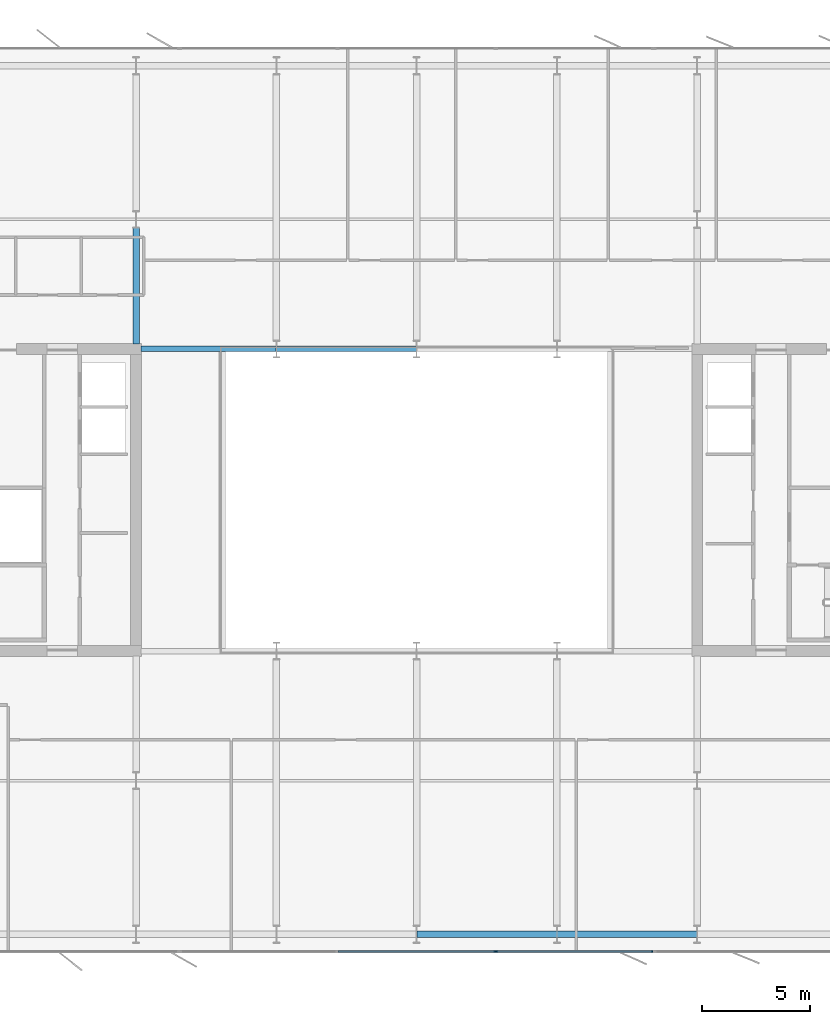
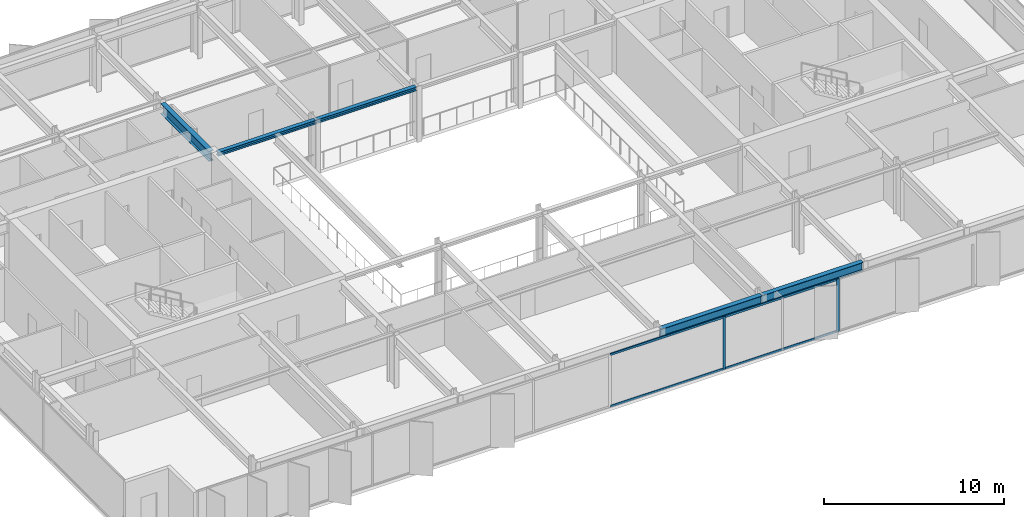
# One storey, part 6 of 23: 6 members, 5 beams, 1 element without a shape of its own.
"""IFC4 building model written with IfcOpenShell, lengths in metres."""

from ifc_helpers import new_model, si_unit, direction, frame, origin, origin_2d, place, context, subcontext, project, spatial, rectangle, i_section, extrude, material, layer, layer_set, material_profile, profile_set, type_object, element, aggregate, save


model = new_model("IFC4")

# Units and contexts
model_context = context("Model", 3, precision=1e-05, world=origin(), true_north=direction((0.0, 1.0)))
body_context = subcontext(model_context, "Body", "Model", "MODEL_VIEW")
ifc_project = project(units=[si_unit("LENGTHUNIT", "METRE"), si_unit("AREAUNIT", "SQUARE_METRE"), si_unit("VOLUMEUNIT", "CUBIC_METRE"), si_unit("PLANEANGLEUNIT", "RADIAN"), si_unit("MASSUNIT", "GRAM", prefix="KILO")], contexts=[model_context])

# Site, building, storey
site_placement = place(None, origin())
site = spatial("IfcSite", under=ifc_project, at=site_placement, CompositionType="ELEMENT")
building_placement = place(site_placement, origin())
building = spatial("IfcBuilding", under=site, at=building_placement, Name="Putna Gate Headquarters", CompositionType="ELEMENT")
storey_placement = place(building_placement, frame((0.0, 0.0, 232.800048828125)))
storey = spatial("IfcBuildingStorey", under=building, at=storey_placement, Name="L58", CompositionType="ELEMENT", Elevation=232.800048828125)

# Beams
ifc_material_1 = material(Name="Steel S355J2", Category="steel")
ifc_material_profile_1 = material_profile(ifc_material_1, i_section(OverallWidth=0.260009765625, OverallDepth=0.260009765625, WebThickness=0.010009765625, FlangeThickness=0.017578125, at=origin_2d()), Name="Steel S355J2")
ifc_profile_set_1 = profile_set([ifc_material_profile_1], Name="Steel S355J2")
beam_type_1 = type_object("IfcBeamType", Name="BM-ATRIUM-HEB260", PredefinedType="BEAM", material=ifc_profile_set_1)
beam_1_placement = place(storey_placement, frame((26.235107421875, 33.0, 3.449951171875), z_axis=(1.0, 0.0, 0.0), x_axis=(0.0, 1.0, 0.0)))
element("IfcBeam", 1, at=beam_1_placement, inside=storey, type_object=beam_type_1, Name="L58 Atrium Edge Beam AN1", PredefinedType="BEAM", context=body_context, shape_type="SweptSolid", body=[
    extrude(i_section(OverallWidth=0.260009765625, OverallDepth=0.260009765625, WebThickness=0.010009765625, FlangeThickness=0.017578125, at=origin_2d()), origin(), (0.0, 0.0, 1.0), 6.2587890625),
])
beam_2_placement = place(storey_placement, frame((32.506103515625, 33.0, 3.449951171875), z_axis=(1.0, 0.0, 0.0), x_axis=(0.0, 1.0, 0.0)))
element("IfcBeam", 2, at=beam_2_placement, inside=storey, type_object=beam_type_1, Name="L58 Atrium Edge Beam AN2", PredefinedType="BEAM", context=body_context, shape_type="SweptSolid", body=[
    extrude(i_section(OverallWidth=0.260009765625, OverallDepth=0.260009765625, WebThickness=0.010009765625, FlangeThickness=0.017578125, at=origin_2d()), origin(), (0.0, 0.0, 1.0), 6.48779296875),
])
ifc_material_profile_2 = material_profile(ifc_material_1, i_section(OverallWidth=0.300048828125, OverallDepth=0.699951171875, WebThickness=0.01708984375, FlangeThickness=0.031982421875, at=origin_2d()), Name="Steel S355J2")
ifc_profile_set_2 = profile_set([ifc_material_profile_2], Name="Steel S355J2")
beam_type_2 = type_object("IfcBeamType", Name="BM-GIRD-B-HEB700", PredefinedType="USERDEFINED", material=ifc_profile_set_2)
beam_3_placement = place(storey_placement, frame((26.0, 33.235107421875, 3.22998046875), z_axis=(0.0, 1.0, 0.0), x_axis=(-1.0, 0.0, 0.0)))
element("IfcBeam", 3, at=beam_3_placement, inside=storey, type_object=beam_type_2, Name="L58 North Primary Girder X26-1", ObjectType="GIRDER", PredefinedType="USERDEFINED", context=body_context, shape_type="SweptSolid", body=[
    extrude(i_section(OverallWidth=0.300048828125, OverallDepth=0.699951171875, WebThickness=0.01708984375, FlangeThickness=0.031982421875, at=origin_2d()), origin(), (0.0, 0.0, 1.0), 5.369873046875),
])
ifc_material_profile_3 = material_profile(ifc_material_1, i_section(OverallWidth=0.300048828125, OverallDepth=0.590087890625, WebThickness=0.012939453125, FlangeThickness=0.02490234375, at=origin_2d()), Name="Steel S355J2")
ifc_profile_set_3 = profile_set([ifc_material_profile_3], Name="Steel S355J2")
beam_type_3 = type_object("IfcBeamType", Name="BM-SPAN-Z4-HEA600", PredefinedType="SPANDREL", material=ifc_profile_set_3)
for number, where, z_axis, x_axis, name in (
    (4, (39.006103515625, 5.8798828125, 3.284912109375), (1.0, 0.0, 0.0), (0.0, 1.0, 0.0), "L58 S Perimeter Spandrel 5"),
    (5, (45.506103515625, 5.8798828125, 3.284912109375), (1.0, 0.0, 0.0), (0.0, 1.0, 0.0), "L58 S Perimeter Spandrel 6"),
):
    element("IfcBeam", number, at=place(storey_placement, frame(where, z_axis=z_axis, x_axis=x_axis)), inside=storey, type_object=beam_type_3, Name=name, PredefinedType="SPANDREL", context=body_context, shape_type="SweptSolid", body=[
        extrude(i_section(OverallWidth=0.300048828125, OverallDepth=0.590087890625, WebThickness=0.012939453125, FlangeThickness=0.02490234375, at=origin_2d()), origin(), (0.0, 0.0, 1.0), 6.48779296875),
    ])

# Curtain wall, members
ifc_material_2 = material(Name="Anodised bronze aluminium curtain wall", Category="aluminium")
ifc_layer = layer(ifc_material_2, 0.179931640625)
ifc_layer_set = layer_set([ifc_layer], Name="Anodised bronze aluminium curtain wall")
curtain_wall_type = type_object("IfcCurtainWallType", Name="CW-SYS-ATR", PredefinedType="USERDEFINED", material=ifc_layer_set)
curtain_wall_placement = place(storey_placement, origin())
curtain_wall = element("IfcCurtainWall", 6, at=curtain_wall_placement, inside=storey, type_object=curtain_wall_type, Name="L58 South Atrium Clear Glazing", ObjectType="ATRIUM GLAZING", PredefinedType="USERDEFINED")
ifc_material_3 = material(Name="Anodised bronze aluminium EN AW-6060", Category="aluminium")
ifc_material_profile_4 = material_profile(ifc_material_3, rectangle(XDim=0.070068359375, YDim=0.179931640625, at=origin_2d()), Name="Anodised bronze aluminium EN AW-6060")
ifc_profile_set_4 = profile_set([ifc_material_profile_4], Name="Anodised bronze aluminium EN AW-6060")
member_type_1 = type_object("IfcMemberType", Name="MULL-CWM-AT", PredefinedType="MULLION", material=ifc_profile_set_4)
member_1_placement = place(storey_placement, frame((42.666748046875, 5.080078125, 0.0), z_axis=(0.0, 0.0, 1.0), x_axis=(0.0, 1.0, 0.0)))
member_1 = element("IfcMember", 7, at=member_1_placement, type_object=member_type_1, Name="CWS-AT mullion 3", PredefinedType="MULLION", context=body_context, shape_type="SweptSolid", body=[
    extrude(rectangle(XDim=0.070068359375, YDim=0.179931640625, at=origin_2d()), origin(), (0.0, 0.0, 1.0), 3.579833984375),
])
member_2_placement = place(storey_placement, frame((49.965087890625, 5.080078125, 0.0), z_axis=(0.0, 0.0, 1.0), x_axis=(0.0, 1.0, 0.0)))
member_2 = element("IfcMember", 8, at=member_2_placement, type_object=member_type_1, Name="CWS-AT mullion 4", PredefinedType="MULLION", context=body_context, shape_type="SweptSolid", body=[
    extrude(rectangle(XDim=0.070068359375, YDim=0.179931640625, at=origin_2d()), origin(), (0.0, 0.0, 1.0), 3.579833984375),
])
ifc_material_profile_5 = material_profile(ifc_material_3, rectangle(XDim=0.070068359375, YDim=0.139892578125, at=origin_2d()), Name="Anodised bronze aluminium EN AW-6060")
ifc_profile_set_5 = profile_set([ifc_material_profile_5], Name="Anodised bronze aluminium EN AW-6060")
member_type_2 = type_object("IfcMemberType", Name="TRAN-CWT-AT", PredefinedType="USERDEFINED", material=ifc_profile_set_5)
member_3_placement = place(storey_placement, frame((35.368408203125, 5.080078125, 0.034912109375), z_axis=(1.0, 0.0, 0.0), x_axis=(0.0, 1.0, 0.0)))
member_3 = element("IfcMember", 9, at=member_3_placement, type_object=member_type_2, Name="CWS-AT transom 2.1", ObjectType="TRANSOM", PredefinedType="USERDEFINED", context=body_context, shape_type="SweptSolid", body=[
    extrude(rectangle(XDim=0.070068359375, YDim=0.139892578125, at=origin_2d()), origin(), (0.0, 0.0, 1.0), 7.26318359375),
])
member_4_placement = place(storey_placement, frame((35.368408203125, 5.080078125, 3.544921875), z_axis=(1.0, 0.0, 0.0), x_axis=(0.0, 1.0, 0.0)))
member_4 = element("IfcMember", 10, at=member_4_placement, type_object=member_type_2, Name="CWS-AT transom 2.2", ObjectType="TRANSOM", PredefinedType="USERDEFINED", context=body_context, shape_type="SweptSolid", body=[
    extrude(rectangle(XDim=0.070068359375, YDim=0.139892578125, at=origin_2d()), origin(), (0.0, 0.0, 1.0), 7.26318359375),
])
member_5_placement = place(storey_placement, frame((42.70166015625, 5.080078125, 0.034912109375), z_axis=(1.0, 0.0, 0.0), x_axis=(0.0, 1.0, 0.0)))
member_5 = element("IfcMember", 11, at=member_5_placement, type_object=member_type_2, Name="CWS-AT transom 3.1", ObjectType="TRANSOM", PredefinedType="USERDEFINED", context=body_context, shape_type="SweptSolid", body=[
    extrude(rectangle(XDim=0.070068359375, YDim=0.139892578125, at=origin_2d()), origin(), (0.0, 0.0, 1.0), 7.228271484375),
])
member_6_placement = place(storey_placement, frame((42.70166015625, 5.080078125, 3.544921875), z_axis=(1.0, 0.0, 0.0), x_axis=(0.0, 1.0, 0.0)))
member_6 = element("IfcMember", 12, at=member_6_placement, type_object=member_type_2, Name="CWS-AT transom 3.2", ObjectType="TRANSOM", PredefinedType="USERDEFINED", context=body_context, shape_type="SweptSolid", body=[
    extrude(rectangle(XDim=0.070068359375, YDim=0.139892578125, at=origin_2d()), origin(), (0.0, 0.0, 1.0), 7.228271484375),
])
aggregate(curtain_wall, [member_1, member_2, member_3, member_4, member_5, member_6])

save(model, "model.ifc")
